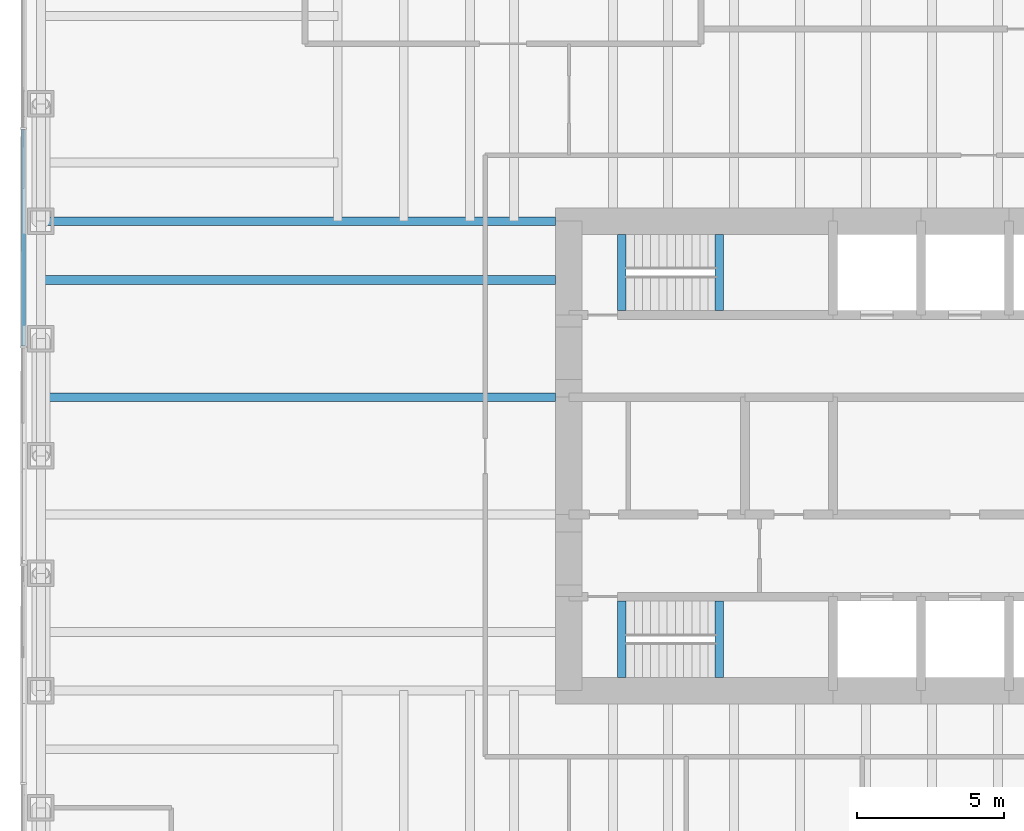
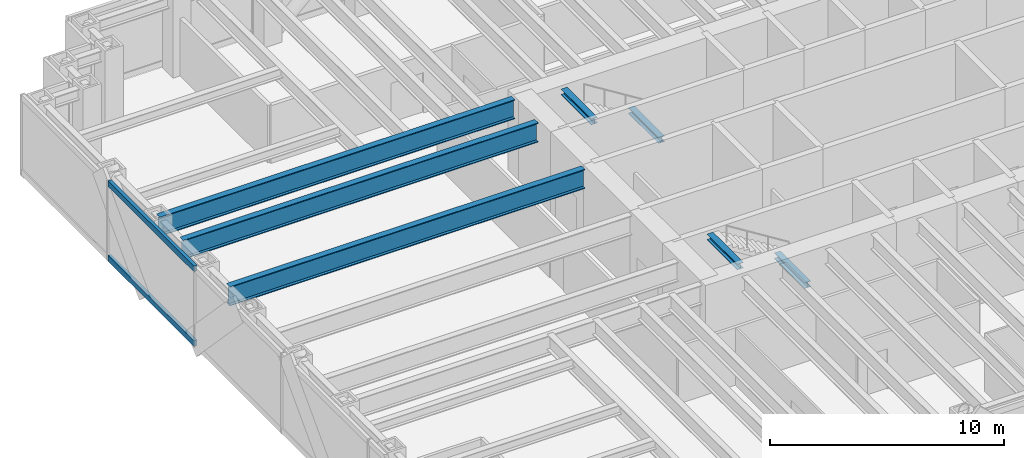
# One storey, part 3 of 15: 7 beams, 2 members, 1 element without a shape of its own.
"""IFC4 building model written with IfcOpenShell, lengths in metres."""

from ifc_helpers import new_model, si_unit, direction, frame, origin, origin_2d, place, context, subcontext, project, spatial, rectangle, i_section, extrude, material, material_profile, profile_set, type_object, element, aggregate, save


model = new_model("IFC4")

# Units and contexts
model_context = context("Model", 3, precision=1e-05, world=origin(), true_north=direction((0.0, 1.0)))
body_context = subcontext(model_context, "Body", "Model", "MODEL_VIEW")
ifc_project = project(units=[si_unit("LENGTHUNIT", "METRE"), si_unit("AREAUNIT", "SQUARE_METRE"), si_unit("VOLUMEUNIT", "CUBIC_METRE"), si_unit("PLANEANGLEUNIT", "RADIAN"), si_unit("MASSUNIT", "GRAM", prefix="KILO")], contexts=[model_context])

# Site, building, storey
site_placement = place(None, origin())
site = spatial("IfcSite", under=ifc_project, at=site_placement, CompositionType="ELEMENT")
building_placement = place(site_placement, origin())
building = spatial("IfcBuilding", under=site, at=building_placement, Name="Rheinbord Bourse Tower", CompositionType="ELEMENT")
storey_placement = place(building_placement, frame((0.0, 0.0, 134.10009765625)))
storey = spatial("IfcBuildingStorey", under=building, at=storey_placement, Name="L29", CompositionType="ELEMENT", Elevation=134.10009765625)

# Curtain wall, members
ifc_material_1 = material(Name="Dark glass and black aluminium", Category="aluminium")
curtain_wall_type = type_object("IfcCurtainWallType", Name="CW2 DARK GLASS CURTAIN WALL", PredefinedType="USERDEFINED", material=ifc_material_1)
curtain_wall_placement = place(storey_placement, origin())
curtain_wall = element("IfcCurtainWall", 1, at=curtain_wall_placement, inside=storey, type_object=curtain_wall_type, Name="Curtain wall CW2 W L29", ObjectType="UNITISED CURTAIN WALL", PredefinedType="USERDEFINED")
ifc_material_2 = material(Name="Black anodised aluminium", Category="aluminium")
ifc_material_profile_1 = material_profile(ifc_material_2, rectangle(XDim=0.159912109375, YDim=0.300048828125, at=origin_2d()), Name="CW2 TRANSOM 300x160")
ifc_profile_set_1 = profile_set([ifc_material_profile_1], Name="Black anodised aluminium")
member_type = type_object("IfcMemberType", Name="CW2 BLACK TRANSOM", PredefinedType="USERDEFINED", material=ifc_profile_set_1)
member_1_placement = place(storey_placement, frame((-0.60009765625, 35.125, 0.14990234375), z_axis=(0.0, -1.0, 0.0), x_axis=(1.0, 0.0, 0.0)))
member_1 = element("IfcMember", 2, at=member_1_placement, type_object=member_type, Name="CW2 transom 2.1", ObjectType="TRANSOM", PredefinedType="USERDEFINED", context=body_context, shape_type="SweptSolid", body=[
    extrude(rectangle(XDim=0.159912109375, YDim=0.300048828125, at=origin_2d()), origin(), (0.0, 0.0, 1.0), 7.3701171875),
])
member_2_placement = place(storey_placement, frame((-0.60009765625, 35.125, 4.0498046875), z_axis=(0.0, -1.0, 0.0), x_axis=(1.0, 0.0, 0.0)))
member_2 = element("IfcMember", 3, at=member_2_placement, type_object=member_type, Name="CW2 transom 2.2", ObjectType="TRANSOM", PredefinedType="USERDEFINED", context=body_context, shape_type="SweptSolid", body=[
    extrude(rectangle(XDim=0.159912109375, YDim=0.300048828125, at=origin_2d()), origin(), (0.0, 0.0, 1.0), 7.3701171875),
])
aggregate(curtain_wall, [member_1, member_2])

# Beams
ifc_material_3 = material(Name="Steel S460", Category="steel")
ifc_material_profile_2 = material_profile(ifc_material_3, i_section(OverallWidth=0.302001953125, OverallDepth=1.008056640625, WebThickness=0.02099609375, FlangeThickness=0.0400390625, at=origin_2d()), Name="HEM 1000")
ifc_profile_set_2 = profile_set([ifc_material_profile_2], Name="Steel S460")
beam_type_1 = type_object("IfcBeamType", Name="END BEAM HEM 1000", PredefinedType="BEAM", material=ifc_profile_set_2)
for number, where, z_axis, x_axis, name in (
    (4, (0.0, 26.0, 3.535888671875), (1.0, 0.0, 0.0), (0.0, 1.0, 0.0), "End beam west 26 L30"),
    (5, (0.0, 30.0, 3.535888671875), (1.0, 0.0, 0.0), (0.0, 1.0, 0.0), "End beam west 30 L30"),
):
    element("IfcBeam", number, at=place(storey_placement, frame(where, z_axis=z_axis, x_axis=x_axis)), inside=storey, type_object=beam_type_1, Name=name, PredefinedType="BEAM", context=body_context, shape_type="SweptSolid", body=[
        extrude(i_section(OverallWidth=0.302001953125, OverallDepth=1.008056640625, WebThickness=0.02099609375, FlangeThickness=0.0400390625, at=origin_2d()), origin(), (0.0, 0.0, 1.0), 17.550048828125),
    ])
ifc_material_4 = material(Name="Steel S460", Category="steel")
ifc_material_profile_3 = material_profile(ifc_material_4, i_section(OverallWidth=0.302001953125, OverallDepth=1.008056640625, WebThickness=0.02099609375, FlangeThickness=0.0400390625, at=origin_2d()), Name="HEM 1000")
ifc_profile_set_3 = profile_set([ifc_material_profile_3], Name="Steel S460")
beam_type_2 = type_object("IfcBeamType", Name="GIRDER HEM 1000", PredefinedType="BEAM", material=ifc_profile_set_3)
beam_placement = place(storey_placement, frame((0.0, 32.0, 3.535888671875), z_axis=(1.0, 0.0, 0.0), x_axis=(0.0, 1.0, 0.0)))
element("IfcBeam", 6, at=beam_placement, inside=storey, type_object=beam_type_2, Name="Girder west 32 L30", PredefinedType="BEAM", context=body_context, shape_type="SweptSolid", body=[
    extrude(i_section(OverallWidth=0.302001953125, OverallDepth=1.008056640625, WebThickness=0.02099609375, FlangeThickness=0.0400390625, at=origin_2d()), origin(), (0.0, 0.0, 1.0), 17.550048828125),
])
ifc_material_5 = material(Name="Steel S460", Category="steel")
ifc_material_profile_4 = material_profile(ifc_material_5, i_section(OverallWidth=0.300048828125, OverallDepth=0.300048828125, WebThickness=0.010986328125, FlangeThickness=0.01904296875, at=origin_2d()), Name="HEB 300")
ifc_profile_set_4 = profile_set([ifc_material_profile_4], Name="Steel S460")
beam_type_3 = type_object("IfcBeamType", Name="LANDING TRIMMER HEB 300", PredefinedType="BEAM", material=ifc_profile_set_4)
for number, where, z_axis, x_axis, name in (
    (7, (23.1298828125, 16.449951171875, 1.75), (0.0, 1.0, 0.0), (-1.0, 0.0, 0.0), "Landing trimmer ST1 L29"),
    (8, (19.800048828125, 16.449951171875, 3.889892578125), (0.0, 1.0, 0.0), (-1.0, 0.0, 0.0), "Well trimmer ST1 under L30"),
    (9, (23.1298828125, 28.949951171875, 1.75), (0.0, 1.0, 0.0), (-1.0, 0.0, 0.0), "Landing trimmer ST2 L29"),
    (10, (19.800048828125, 28.949951171875, 3.889892578125), (0.0, 1.0, 0.0), (-1.0, 0.0, 0.0), "Well trimmer ST2 under L30"),
):
    element("IfcBeam", number, at=place(storey_placement, frame(where, z_axis=z_axis, x_axis=x_axis)), inside=storey, type_object=beam_type_3, Name=name, PredefinedType="BEAM", context=body_context, shape_type="SweptSolid", body=[
        extrude(i_section(OverallWidth=0.300048828125, OverallDepth=0.300048828125, WebThickness=0.010986328125, FlangeThickness=0.01904296875, at=origin_2d()), origin(), (0.0, 0.0, 1.0), 2.60009765625),
    ])

save(model, "model.ifc")
